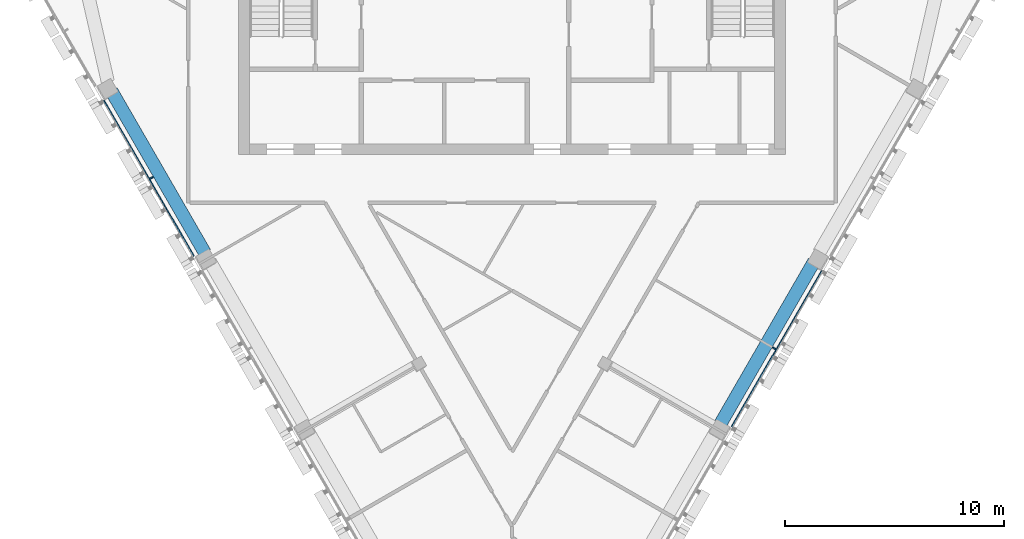
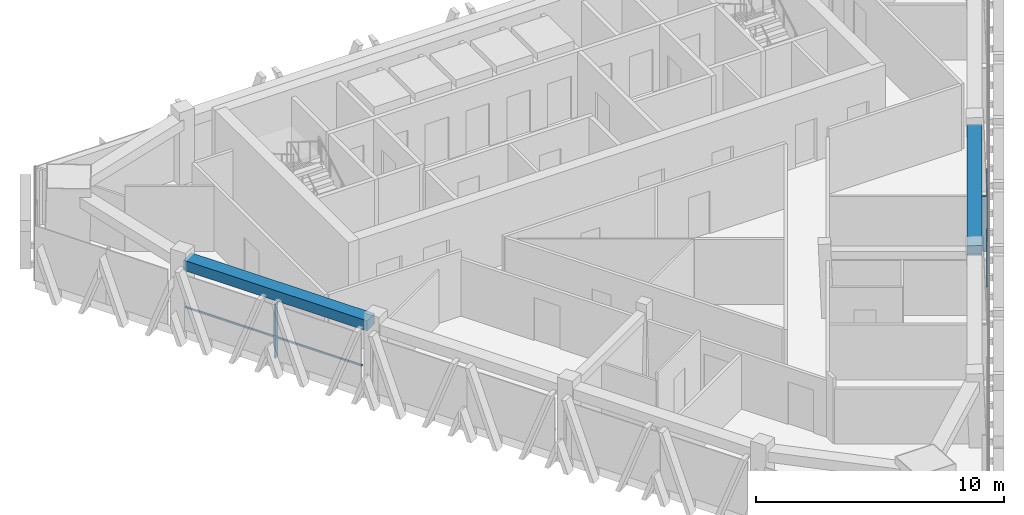
# One storey, part 3 of 12: 4 members, 2 beams, 2 elements without a shape of their own.
"""IFC4 building model written with IfcOpenShell, lengths in metres."""

import ifcopenshell
import ifcopenshell.guid

model = None  # the IFC model being written
_history = None  # IfcOwnerHistory: only IFC2X3 demands one
_inside = {}  # id of a spatial element -> (the spatial element, [elements in it])
_under = {}  # id of a project, library or spatial element -> (it, [spatial elements below it])
_declared = {}  # id of a project -> (the project, [libraries it declares])
_typed = {}  # id of a type object -> (the type object, [elements of that type])
_made_of = {}  # id of a material, layer set ... -> (it, [elements and type objects made of it])


def new_model(schema):
    """Start an empty IFC model of exactly this schema.

    Asked for "IFC4X3", IfcOpenShell would pick the latest addendum, in which some entities
    have other attributes; the version numbers below select the first issue.
    IFC2X3 requires an IfcOwnerHistory on every rooted entity: one is made here for all.
    """
    global model, _history
    if schema == "IFC4X3":
        model = ifcopenshell.file(schema_version=(4, 3, 0, 0))
    else:
        model = ifcopenshell.file(schema=schema)
    _inside.clear()
    _under.clear()
    _declared.clear()
    _typed.clear()
    _made_of.clear()
    _history = None
    if model.schema == "IFC2X3":
        org = make("IfcOrganization", Name="unknown")
        user = make(
            "IfcPersonAndOrganization",
            ThePerson=make("IfcPerson", FamilyName="unknown"),
            TheOrganization=org,
        )
        app = make(
            "IfcApplication",
            ApplicationDeveloper=org,
            Version="unknown",
            ApplicationFullName="unknown",
            ApplicationIdentifier="unknown",
        )
        _history = make(
            "IfcOwnerHistory",
            OwningUser=user,
            OwningApplication=app,
            ChangeAction="ADDED",
            CreationDate=0,
        )
    return model


def make(cls, **values):
    """One entity of the class cls with the attributes given. An attribute that is None is left unset."""
    return model.create_entity(
        cls, **{name: value for name, value in values.items() if value is not None}
    )


def rooted(cls, **values):
    """An entity with a GlobalId (a new one), such as an element, a storey or a relation."""
    return make(cls, GlobalId=ifcopenshell.guid.new(), OwnerHistory=_history, **values)


def si_unit(unit_type, name, prefix=None):
    """IfcSIUnit, for example si_unit("LENGTHUNIT", "METRE", prefix="MILLI")."""
    return make("IfcSIUnit", UnitType=unit_type, Prefix=prefix, Name=name)


def assignment(units):
    """IfcUnitAssignment: the units of a project."""
    return None if units is None else make("IfcUnitAssignment", Units=units)


def point(xyz):
    """IfcCartesianPoint."""
    return None if xyz is None else make("IfcCartesianPoint", Coordinates=xyz)


def direction(xyz):
    """IfcDirection."""
    return None if xyz is None else make("IfcDirection", DirectionRatios=xyz)


def frame(location, z_axis=None, x_axis=None):
    """IfcAxis2Placement3D, a coordinate frame: its origin and axes. An axis left out is left unset."""
    return make(
        "IfcAxis2Placement3D",
        Location=point(location),
        Axis=direction(z_axis),
        RefDirection=direction(x_axis),
    )


def frame_2d(location, x_axis=None):
    """IfcAxis2Placement2D, a coordinate frame in the plane: its origin and x axis."""
    return make(
        "IfcAxis2Placement2D", Location=point(location), RefDirection=direction(x_axis)
    )


def origin():
    """The frame at (0, 0, 0) with its axes left unset."""
    return frame((0.0, 0.0, 0.0))


def origin_2d():
    """The frame at (0, 0) in the plane with its x axis left unset."""
    return frame_2d((0.0, 0.0))


def place(relative_to, where):
    """IfcLocalPlacement: puts the frame where relative to a parent placement (None: the world)."""
    return make(
        "IfcLocalPlacement", PlacementRelTo=relative_to, RelativePlacement=where
    )


def context(
    kind, dimensions, precision=None, world=None, true_north=None, identifier=None
):
    """IfcGeometricRepresentationContext, for example the 3D "Model" context."""
    return make(
        "IfcGeometricRepresentationContext",
        ContextIdentifier=identifier,
        ContextType=kind,
        CoordinateSpaceDimension=dimensions,
        Precision=precision,
        WorldCoordinateSystem=world,
        TrueNorth=true_north,
    )


def subcontext(parent, identifier, kind, view, scale=None):
    """IfcGeometricRepresentationSubContext, for example "Body" below "Model"."""
    return make(
        "IfcGeometricRepresentationSubContext",
        ContextIdentifier=identifier,
        ContextType=kind,
        ParentContext=parent,
        TargetScale=scale,
        TargetView=view,
    )


def project(units=None, contexts=None):
    """IfcProject with its units and contexts."""
    return rooted(
        "IfcProject",
        Name="project",
        RepresentationContexts=contexts,
        UnitsInContext=assignment(units),
    )


def spatial(cls, under=None, at=None, **own):
    """A site, building, storey or space (cls), placed at a placement, below another one or the project."""
    s = rooted(cls, ObjectPlacement=at, **own)
    if under is not None:
        _under.setdefault(under.id(), (under, []))[1].append(s)
    return s


def profile(cls, at=None, kind="AREA", **sizes):
    """A parametric profile (cls). Its sizes go by their IFC names, for example OverallWidth=200.0."""
    return make(cls, ProfileType=kind, Position=at, **sizes)


def rectangle(**sizes):
    """IfcRectangleProfileDef."""
    return profile("IfcRectangleProfileDef", **sizes)


def extrude(swept, where, along, depth):
    """IfcExtrudedAreaSolid: the profile swept, set in the frame where, extruded along a direction by depth."""
    return make(
        "IfcExtrudedAreaSolid",
        SweptArea=swept,
        Position=where,
        ExtrudedDirection=direction(along),
        Depth=depth,
    )


def shape(context_of_items, identifier, shape_type, items):
    """IfcShapeRepresentation: the items that make up one representation, for example the "Body"."""
    return make(
        "IfcShapeRepresentation",
        ContextOfItems=context_of_items,
        RepresentationIdentifier=identifier,
        RepresentationType=shape_type,
        Items=items,
    )


def material(Name=None, Category=None):
    """IfcMaterial."""
    return make("IfcMaterial", Name=Name, Category=Category)


def layer(
    of_material, thickness, ventilated=None, Name=None, Category=None, Priority=None
):
    """IfcMaterialLayer: one layer of a wall or slab, of a material (None: an air gap)."""
    return make(
        "IfcMaterialLayer",
        Material=of_material,
        LayerThickness=thickness,
        IsVentilated=ventilated,
        Name=Name,
        Category=Category,
        Priority=Priority,
    )


def layer_set(layers, Name=None):
    """IfcMaterialLayerSet."""
    return make("IfcMaterialLayerSet", MaterialLayers=layers, LayerSetName=Name)


def material_profile(
    of_material, cross_section, Name=None, Category=None, Priority=None
):
    """IfcMaterialProfile: a cross section and its material."""
    return make(
        "IfcMaterialProfile",
        Name=Name,
        Material=of_material,
        Profile=cross_section,
        Priority=Priority,
        Category=Category,
    )


def profile_set(profiles, Name=None, composite=None):
    """IfcMaterialProfileSet."""
    return make(
        "IfcMaterialProfileSet",
        Name=Name,
        MaterialProfiles=profiles,
        CompositeProfile=composite,
    )


def made_of(thing, what):
    """Note that an element or type object is made of a material, layer set ...; save() writes the relation."""
    if what is not None:
        _made_of.setdefault(what.id(), (what, []))[1].append(thing)
    return thing


def type_object(cls, material=None, **own):
    """A type object (cls), such as IfcWallType, which elements share."""
    return made_of(rooted(cls, **own), material)


def element(
    cls,
    number,
    at=None,
    inside=None,
    cuts=None,
    type_object=None,
    material=None,
    context=None,
    identifier="Body",
    shape_type=None,
    held_by="IfcProductDefinitionShape",
    body=None,
    shapes=None,
    **own,
):
    """One element of the class cls, such as IfcWall. Its Tag is "e" and its number.

    at: its placement. inside: the storey or other place that contains it. cuts: it is an
    opening in that element (IfcRelVoidsElement). A single representation is given by context,
    identifier, shape_type and body (its items); several are given by shapes. held_by: the class
    of the entity that holds the representations. save() writes the other relations.
    """
    e = rooted(cls, Tag="e%d" % number, ObjectPlacement=at, **own)
    if body is not None:
        shapes = [shape(context, identifier, shape_type, body)]
    if shapes is not None:
        e.Representation = make(held_by, Representations=shapes)
    if inside is not None:
        _inside.setdefault(inside.id(), (inside, []))[1].append(e)
    if cuts is not None:
        rooted(
            "IfcRelVoidsElement", RelatingBuildingElement=cuts, RelatedOpeningElement=e
        )
    if type_object is not None:
        _typed.setdefault(type_object.id(), (type_object, []))[1].append(e)
    return made_of(e, material)


def aggregate(whole, parts):
    """IfcRelAggregates: a whole, such as a stair, and the parts it consists of."""
    return rooted("IfcRelAggregates", RelatingObject=whole, RelatedObjects=parts)


def save(model, path):
    """Write the relations noted so far, then the file.

    IfcRelAggregates (storeys below a building ...), IfcRelContainedInSpatialStructure (elements
    in a storey), IfcRelDefinesByType, IfcRelAssociatesMaterial and IfcRelDeclares: one each for
    every whole, place, type object, material and project.
    """
    for whole, parts in _under.values():
        aggregate(whole, parts)
    for where, things in _inside.values():
        rooted(
            "IfcRelContainedInSpatialStructure",
            RelatedElements=things,
            RelatingStructure=where,
        )
    for kind, things in _typed.values():
        rooted("IfcRelDefinesByType", RelatedObjects=things, RelatingType=kind)
    for what, things in _made_of.values():
        rooted("IfcRelAssociatesMaterial", RelatedObjects=things, RelatingMaterial=what)
    for by, libraries in _declared.values():
        rooted("IfcRelDeclares", RelatingContext=by, RelatedDefinitions=libraries)
    model.write(path)


model = new_model("IFC4")

# Units and contexts
model_context = context("Model", 3, precision=1e-05, world=origin(), true_north=direction((0.0, 1.0)))
body_context = subcontext(model_context, "Body", "Model", "MODEL_VIEW")
ifc_project = project(units=[si_unit("LENGTHUNIT", "METRE"), si_unit("AREAUNIT", "SQUARE_METRE"), si_unit("VOLUMEUNIT", "CUBIC_METRE"), si_unit("PLANEANGLEUNIT", "RADIAN"), si_unit("MASSUNIT", "GRAM", prefix="KILO")], contexts=[model_context])

# Site, building, storey
site_placement = place(None, origin())
site = spatial("IfcSite", under=ifc_project, at=site_placement, CompositionType="ELEMENT")
building_placement = place(site_placement, origin())
building = spatial("IfcBuilding", under=site, at=building_placement, Name="Altiplano Prism Tower", CompositionType="ELEMENT")
storey_placement = place(building_placement, frame((0.0, 0.0, 298.60009765625)))
storey = spatial("IfcBuildingStorey", under=building, at=storey_placement, Name="L77", CompositionType="ELEMENT", Elevation=298.60009765625)

# Curtain wall, member
ifc_material_1 = material(Name="Aluminium and glass", Category="aluminium")
ifc_layer = layer(ifc_material_1, 0.280029296875)
ifc_layer_set = layer_set([ifc_layer], Name="Aluminium and glass")
curtain_wall_type = type_object("IfcCurtainWallType", Name="CW1 typical co-living unitised curtain wall", PredefinedType="NOTDEFINED", material=ifc_layer_set)
curtain_wall_1_placement = place(storey_placement, origin())
curtain_wall_1 = element("IfcCurtainWall", 1, at=curtain_wall_1_placement, inside=storey, type_object=curtain_wall_type, Name="CW1 curtain wall south-west face L77", PredefinedType="NOTDEFINED")
ifc_material_2 = material(Name="Aluminium", Category="aluminium")
ifc_material_profile_1 = material_profile(ifc_material_2, rectangle(XDim=0.179931640625, YDim=0.06494140625, at=origin_2d()), Name="CW1 mullion 65 x 180")
ifc_profile_set_1 = profile_set([ifc_material_profile_1], Name="Aluminium")
member_type_1 = type_object("IfcMemberType", Name="CW1 mullion 65 x 180", PredefinedType="MULLION", material=ifc_profile_set_1)
member_1_placement = place(storey_placement, frame((68.5126953125, 91.841796875, 0.0), z_axis=(0.0, 0.0, 1.0), x_axis=(0.866025408008, 0.499999992684, 0.0)))
member_1 = element("IfcMember", 2, at=member_1_placement, type_object=member_type_1, Name="CW1 mullion", PredefinedType="MULLION", context=body_context, shape_type="SweptSolid", body=[
    extrude(rectangle(XDim=0.179931640625, YDim=0.06494140625, at=origin_2d()), origin(), (0.0, 0.0, 1.0), 2.699951171875),
])

curtain_wall_2_placement = place(storey_placement, origin())
curtain_wall_2 = element("IfcCurtainWall", 3, at=curtain_wall_2_placement, inside=storey, type_object=curtain_wall_type, Name="CW1 curtain wall south-east face L77", PredefinedType="NOTDEFINED")
member_2_placement = place(storey_placement, frame((96.9873046875, 84.047607421875, 0.0), z_axis=(0.0, 0.0, 1.0), x_axis=(-0.866025408008, 0.499999992684, 0.0)))
member_2 = element("IfcMember", 4, at=member_2_placement, type_object=member_type_1, Name="CW1 mullion", PredefinedType="MULLION", context=body_context, shape_type="SweptSolid", body=[
    extrude(rectangle(XDim=0.179931640625, YDim=0.06494140625, at=origin_2d()), origin(), (0.0, 0.0, 1.0), 2.699951171875),
])

# Member
ifc_material_profile_2 = material_profile(ifc_material_2, rectangle(XDim=0.06005859375, YDim=0.080078125, at=origin_2d()), Name="CW1 transom 80 x 60")
ifc_profile_set_2 = profile_set([ifc_material_profile_2], Name="Aluminium")
member_type_2 = type_object("IfcMemberType", Name="CW1 transom 80 x 60", PredefinedType="USERDEFINED", material=ifc_profile_set_2)
member_3_placement = place(storey_placement, frame((66.334228515625, 95.375244140625, 1.099853515625), z_axis=(0.499991554064, -0.866030279993, 0.0), x_axis=(0.866030279993, 0.499991554064, 0.0)))
member_3 = element("IfcMember", 5, at=member_3_placement, type_object=member_type_2, Name="CW1 transom", ObjectType="TRANSOM", PredefinedType="USERDEFINED", context=body_context, shape_type="SweptSolid", body=[
    extrude(rectangle(XDim=0.06005859375, YDim=0.080078125, at=origin_2d()), origin(), (0.0, 0.0, 1.0), 8.219970703125),
])

aggregate(curtain_wall_1, [member_1, member_3])

member_4_placement = place(storey_placement, frame((95.055908203125, 80.46240234375, 1.099853515625), z_axis=(0.499991554064, 0.866030279993, 0.0), x_axis=(-0.866030279993, 0.499991554064, 0.0)))
member_4 = element("IfcMember", 6, at=member_4_placement, type_object=member_type_2, Name="CW1 transom", ObjectType="TRANSOM", PredefinedType="USERDEFINED", context=body_context, shape_type="SweptSolid", body=[
    extrude(rectangle(XDim=0.06005859375, YDim=0.080078125, at=origin_2d()), origin(), (0.0, 0.0, 1.0), 8.219970703125),
])

aggregate(curtain_wall_2, [member_2, member_4])

# Beams
ifc_material_3 = material(Name="Concrete C60/75", Category="concrete")
ifc_material_profile_3 = material_profile(ifc_material_3, rectangle(XDim=0.60009765625, YDim=0.5, at=origin_2d()), Name="Edge beam 600x500")
ifc_profile_set_3 = profile_set([ifc_material_profile_3], Name="Concrete C60/75")
beam_type = type_object("IfcBeamType", Name="Edge beam 600x500", PredefinedType="SPANDREL", material=ifc_profile_set_3)
for number, where, z_axis, x_axis, name in (
    (7, (66.682861328125, 95.808349609375, 2.949951171875), (0.499994660107, -0.866028486751, 0.0), (0.866028486751, 0.499994660107, 0.0), "Edge beam P11-P12 L78"),
    (8, (94.547119140625, 80.6181640625, 2.949951171875), (0.500007039007, 0.866021339774, 0.0), (-0.866021339774, 0.500007039007, 0.0), "Edge beam P22-P23 L78"),
):
    element("IfcBeam", number, at=place(storey_placement, frame(where, z_axis=z_axis, x_axis=x_axis)), inside=storey, type_object=beam_type, Name=name, PredefinedType="SPANDREL", context=body_context, shape_type="SweptSolid", body=[
        extrude(rectangle(XDim=0.60009765625, YDim=0.5, at=origin_2d()), origin(), (0.0, 0.0, 1.0), 8.5400390625),
    ])

save(model, "model.ifc")
